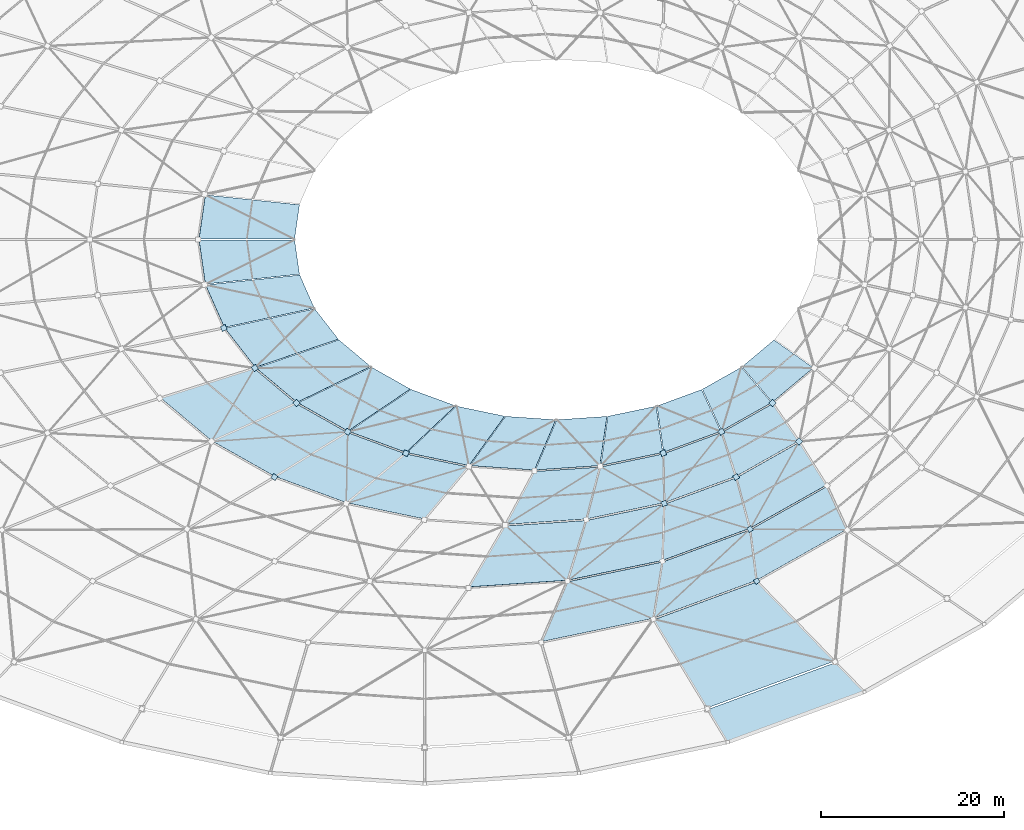
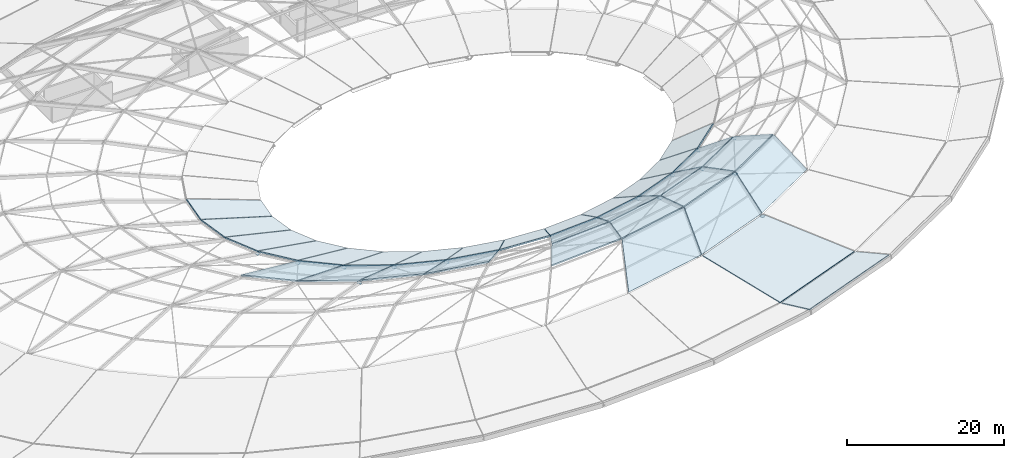
# One storey, part 13 of 30: 31 slabs, 14 plates.
"""IFC4 building model written with IfcOpenShell, lengths in metres."""

from ifc_helpers import new_model, si_unit, direction, frame, origin, origin_2d, place, context, subcontext, project, spatial, polyline, rectangle, outline, extrude, material, layer, layer_set, type_object, element, save


model = new_model("IFC4")

# Units and contexts
model_context = context("Model", 3, precision=1e-05, world=origin(), true_north=direction((0.0, 1.0)))
body_context = subcontext(model_context, "Body", "Model", "MODEL_VIEW")
ifc_project = project(units=[si_unit("LENGTHUNIT", "METRE"), si_unit("AREAUNIT", "SQUARE_METRE"), si_unit("VOLUMEUNIT", "CUBIC_METRE"), si_unit("PLANEANGLEUNIT", "RADIAN"), si_unit("MASSUNIT", "GRAM", prefix="KILO")], contexts=[model_context])

# Site, building, storey
site_placement = place(None, origin())
site = spatial("IfcSite", under=ifc_project, at=site_placement, CompositionType="ELEMENT")
building_placement = place(site_placement, origin())
building = spatial("IfcBuilding", under=site, at=building_placement, Name="Namkhue Oval Health Centre", CompositionType="ELEMENT")
storey_placement = place(building_placement, frame((0.0, 0.0, 26.39990234375)))
storey = spatial("IfcBuildingStorey", under=building, at=storey_placement, Name="RF", CompositionType="ELEMENT", Elevation=26.39990234375)

# Plates
ifc_material_1 = material(Name="Structural steel EN 10025-2 S355JR (TCVN 5575:2024)", Category="steel")
ifc_layer_1 = layer(ifc_material_1, 0.02197265625)
ifc_layer_set_1 = layer_set([ifc_layer_1], Name="Structural steel EN 10025-2 S355JR (TCVN 5575:2024)")
plate_type_1 = type_object("IfcPlateType", Name="GRIDSHELL GUSSET PLATE 520X520X22", PredefinedType="USERDEFINED", material=ifc_layer_set_1)
plate_1_placement = place(storey_placement, frame((122.640869140625, 22.111083984375, 3.80908203125), z_axis=(0.0, 0.0, 1.0), x_axis=(0.55557023302, -0.831469612303, 0.0)))
element("IfcPlate", 1, at=plate_1_placement, inside=storey, type_object=plate_type_1, Name="Gridshell Node Gusset Plate K2-28", ObjectType="GUSSET_PLATE", PredefinedType="USERDEFINED", context=body_context, shape_type="SweptSolid", body=[
    extrude(rectangle(XDim=0.52001953125, YDim=0.52001953125, at=origin_2d()), origin(), (0.0, 0.0, 1.0), 0.02197265625),
])
ifc_layer_2 = layer(ifc_material_1, 0.02197265625)
ifc_layer_set_2 = layer_set([ifc_layer_2], Name="Structural steel EN 10025-2 S355JR (TCVN 5575:2024)")
plate_type_2 = type_object("IfcPlateType", Name="GRIDSHELL GUSSET PLATE 540X540X22", PredefinedType="USERDEFINED", material=ifc_layer_set_2)
plate_2_placement = place(storey_placement, frame((121.9208984375, 27.790771484375, 7.209228515625), z_axis=(0.0, 0.0, 1.0), x_axis=(0.55557023302, -0.831469612303, 0.0)))
element("IfcPlate", 2, at=plate_2_placement, inside=storey, type_object=plate_type_2, Name="Gridshell Node Gusset Plate K3-28", ObjectType="GUSSET_PLATE", PredefinedType="USERDEFINED", context=body_context, shape_type="SweptSolid", body=[
    extrude(rectangle(XDim=0.5400390625, YDim=0.5400390625, at=origin_2d()), origin(), (0.0, 0.0, 1.0), 0.02197265625),
])
ifc_layer_3 = layer(ifc_material_1, 0.02392578125)
ifc_layer_set_3 = layer_set([ifc_layer_3], Name="Structural steel EN 10025-2 S355JR (TCVN 5575:2024)")
plate_type_3 = type_object("IfcPlateType", Name="GRIDSHELL GUSSET PLATE 560X560X24", PredefinedType="USERDEFINED", material=ifc_layer_set_3)
for number, where, z_axis, x_axis, name in (
    (3, (69.999267578125, 33.470703125, 5.008056640625), (0.0, 0.0, 1.0), (-0.55557023302, -0.831469612303, 0.0), "Gridshell Node Gusset Plate K4-22"),
    (4, (112.55859375, 30.5888671875, 5.008056640625), (0.0, 0.0, 1.0), (0.382683432365, -0.923879532511, 0.0), "Gridshell Node Gusset Plate K4-27"),
    (5, (120.400634765625, 33.470703125, 5.008056640625), (0.0, 0.0, 1.0), (0.55557023302, -0.831469612303, 0.0), "Gridshell Node Gusset Plate K4-28"),
    (6, (127.2744140625, 37.348876953125, 5.008056640625), (0.0, 0.0, 1.0), (0.707106781187, -0.707106781187, 0.0), "Gridshell Node Gusset Plate K4-29"),
):
    element("IfcPlate", number, at=place(storey_placement, frame(where, z_axis=z_axis, x_axis=x_axis)), inside=storey, type_object=plate_type_3, Name=name, ObjectType="GUSSET_PLATE", PredefinedType="USERDEFINED", context=body_context, shape_type="SweptSolid", body=[
        extrude(rectangle(XDim=0.56005859375, YDim=0.56005859375, at=origin_2d()), origin(), (0.0, 0.0, 1.0), 0.02392578125),
    ])
ifc_layer_4 = layer(ifc_material_1, 0.02392578125)
ifc_layer_set_4 = layer_set([ifc_layer_4], Name="Structural steel EN 10025-2 S355JR (TCVN 5575:2024)")
plate_type_4 = type_object("IfcPlateType", Name="GRIDSHELL GUSSET PLATE 580X580X24", PredefinedType="USERDEFINED", material=ifc_layer_set_4)
for number, where, z_axis, x_axis, name in (
    (7, (64.47509765625, 49.7392578125, 1.608154296875), (0.0, 0.0, 1.0), (-0.923879532511, -0.382683432365, 0.0), "Gridshell Node Gusset Plate K5-19"),
    (8, (67.868408203125, 45.37451171875, 1.608154296875), (0.0, 0.0, 1.0), (-0.831469612303, -0.55557023302, 0.0), "Gridshell Node Gusset Plate K5-20"),
    (9, (72.43505859375, 41.549072265625, 1.608154296875), (0.0, 0.0, 1.0), (-0.707106781187, -0.707106781187, 0.0), "Gridshell Node Gusset Plate K5-21"),
    (10, (77.99951171875, 38.40966796875, 1.608154296875), (0.0, 0.0, 1.0), (-0.55557023302, -0.831469612303, 0.0), "Gridshell Node Gusset Plate K5-22"),
    (11, (84.347900390625, 36.07666015625, 1.608154296875), (0.0, 0.0, 1.0), (-0.382683432365, -0.923879532511, 0.0), "Gridshell Node Gusset Plate K5-23"),
    (12, (112.4521484375, 36.07666015625, 1.608154296875), (0.0, 0.0, 1.0), (0.382683432365, -0.923879532511, 0.0), "Gridshell Node Gusset Plate K5-27"),
    (13, (118.800537109375, 38.40966796875, 1.608154296875), (0.0, 0.0, 1.0), (0.55557023302, -0.831469612303, 0.0), "Gridshell Node Gusset Plate K5-28"),
    (14, (124.364990234375, 41.549072265625, 1.608154296875), (0.0, 0.0, 1.0), (0.707106781187, -0.707106781187, 0.0), "Gridshell Node Gusset Plate K5-29"),
):
    element("IfcPlate", number, at=place(storey_placement, frame(where, z_axis=z_axis, x_axis=x_axis)), inside=storey, type_object=plate_type_4, Name=name, ObjectType="GUSSET_PLATE", PredefinedType="USERDEFINED", context=body_context, shape_type="SweptSolid", body=[
        extrude(rectangle(XDim=0.580078125, YDim=0.580078125, at=origin_2d()), origin(), (0.0, 0.0, 1.0), 0.02392578125),
    ])

# Slabs
ifc_material_2 = material(Name="Reinforced concrete C30/37 (TCVN B35)", Category="concrete")
ifc_layer_5 = layer(ifc_material_2, 0.159912109375)
ifc_layer_set_5 = layer_set([ifc_layer_5], Name="Reinforced concrete C30/37 (TCVN B35)")
slab_type_1 = type_object("IfcSlabType", Name="GRIDSHELL ROOF PANEL 160", PredefinedType="ROOF", material=ifc_layer_set_5)
slab_1_placement = place(storey_placement, frame((119.456787109375, 4.614501953125, 1.093505859375), z_axis=(-0.032737865834, 0.089089234545, 0.995485479768), x_axis=(0.938632395912, 0.344919157693, 2.38785e-07)))
element("IfcSlab", 15, at=slab_1_placement, inside=storey, type_object=slab_type_1, Name="Gridshell Planar Roof Panel K0-27", PredefinedType="ROOF", context=body_context, shape_type="SweptSolid", body=[
    extrude(outline(polyline([(0.0, 0.0), (15.802786855641859, 0.0), (14.014443752002366, 4.033293430768836), (-0.7724111872031211, 4.033216473355179), (0.0, 0.0)])), origin(), (0.0, 0.0, -1.0), 0.159912109375),
])
ifc_layer_6 = layer(ifc_material_2, 0.1650390625)
ifc_layer_set_6 = layer_set([ifc_layer_6], Name="Reinforced concrete C30/37 (TCVN B35)")
slab_type_2 = type_object("IfcSlabType", Name="GRIDSHELL ROOF PANEL 165", PredefinedType="ROOF", material=ifc_layer_set_6)
slab_2_placement = place(storey_placement, frame((117.254638671875, 8.269775390625, 0.73388671875), z_axis=(0.102714186374, -0.279510060392, 0.954632872919), x_axis=(0.938629998864, 0.344925680737, -4.38688e-07)))
element("IfcSlab", 16, at=slab_2_placement, inside=storey, type_object=slab_type_2, Name="Gridshell Planar Roof Panel K1-27", PredefinedType="ROOF", context=body_context, shape_type="SweptSolid", body=[
    extrude(outline(polyline([(0.0, 0.0), (14.742906242601615, 0.0), (9.822494706764079, 11.573081366463832), (-2.1258785047468853, 11.573042045665932), (0.0, 0.0)])), origin(), (0.0, 0.0, -1.0), 0.1650390625),
])
ifc_layer_7 = layer(ifc_material_2, 0.169921875)
ifc_layer_set_7 = layer_set([ifc_layer_7], Name="Reinforced concrete C30/37 (TCVN B35)")
slab_type_3 = type_object("IfcSlabType", Name="GRIDSHELL ROOF PANEL 170", PredefinedType="ROOF", material=ifc_layer_set_7)
slab_3_placement = place(storey_placement, frame((99.211669921875, 15.512451171875, 4.256591796875), z_axis=(0.100973028115, -0.484192998993, 0.869115405064), x_axis=(0.978939474351, 0.204150693244, 2.132447e-06)))
element("IfcSlab", 17, at=slab_3_placement, inside=storey, type_object=slab_type_3, Name="Gridshell Planar Roof Panel K2-26", PredefinedType="ROOF", context=body_context, shape_type="SweptSolid", body=[
    extrude(outline(polyline([(0.0, 0.0), (12.382114804668541, 0.0), (14.58775799063613, 6.694180011940769), (4.059904103209848, 6.694278785412251), (0.0, 0.0)])), origin(), (0.0, 0.0, -1.0), 0.169921875),
])
slab_4_placement = place(storey_placement, frame((111.420654296875, 18.06982421875, 4.259033203125), z_axis=(0.179474146698, -0.488412431489, 0.85395686509), x_axis=(0.938632130959, 0.344919878696, 3.461364e-06)))
element("IfcSlab", 18, at=slab_4_placement, inside=storey, type_object=slab_type_3, Name="Gridshell Planar Roof Panel K2-27", PredefinedType="ROOF", context=body_context, shape_type="SweptSolid", body=[
    extrude(outline(polyline([(0.0, 0.0), (11.900481886786183, -4.440892098500626e-16), (13.148326695853406, 6.353696956176924), (3.027530974824281, 6.353843443278537), (0.0, 0.0)])), origin(), (0.0, 0.0, -1.0), 0.169921875),
])
slab_5_placement = place(storey_placement, frame((122.66943359375, 22.214111328125, 4.2607421875), z_axis=(0.265310414489, -0.470222179844, 0.841725302903), x_axis=(0.870932391499, 0.491402858595, 1.294447e-06)))
element("IfcSlab", 19, at=slab_5_placement, inside=storey, type_object=slab_type_3, Name="Gridshell Planar Roof Panel K2-28", PredefinedType="ROOF", context=body_context, shape_type="SweptSolid", body=[
    extrude(outline(polyline([(0.0, 0.0), (11.238634156316959, -8.881784197001252e-16), (11.66131769916411, 6.117211394065263), (2.1018404488854636, 6.1172612584110615), (0.0, 0.0)])), origin(), (0.0, 0.0, -1.0), 0.169921875),
])
ifc_layer_8 = layer(ifc_material_2, 0.175048828125)
ifc_layer_set_8 = layer_set([ifc_layer_8], Name="Reinforced concrete C30/37 (TCVN B35)")
slab_type_4 = type_object("IfcSlabType", Name="GRIDSHELL ROOF PANEL 175", PredefinedType="ROOF", material=ifc_layer_set_8)
slab_6_placement = place(storey_placement, frame((91.302001953125, 21.476318359375, 7.58837890625), z_axis=(-0.021523960169, 0.317867471834, 0.947890810953), x_axis=(0.997715029817, 0.067562706255, -1.274478e-06)))
element("IfcSlab", 20, at=slab_6_placement, inside=storey, type_object=slab_type_4, Name="Gridshell Planar Roof Panel K3-25", PredefinedType="ROOF", context=body_context, shape_type="SweptSolid", body=[
    extrude(outline(polyline([(0.0, 0.0), (10.69240087662923, -2.220446049250313e-16), (13.136484870799743, 6.72502357829837), (4.336352837834855, 6.725101554353777), (0.0, 0.0)])), origin(), (0.0, 0.0, -1.0), 0.175048828125),
])
slab_7_placement = place(storey_placement, frame((102.0625, 22.216552734375, 7.586669921875), z_axis=(-0.068884426187, 0.330295197795, 0.941360726896), x_axis=(0.978935809283, 0.204168267118, -2.5141e-06)))
element("IfcSlab", 21, at=slab_7_placement, inside=storey, type_object=slab_type_4, Name="Gridshell Planar Roof Panel K3-26", PredefinedType="ROOF", context=body_context, shape_type="SweptSolid", body=[
    extrude(outline(polyline([(0.0, 0.0), (10.479783284883998, -2.220446049250313e-16), (11.92080332217334, 6.340008021388163), (3.2925522867716555, 6.340150402116963), (0.0, 0.0)])), origin(), (0.0, 0.0, -1.0), 0.175048828125),
])
slab_8_placement = place(storey_placement, frame((112.40576171875, 24.384033203125, 7.58544921875), z_axis=(-0.12131255381, 0.330129857962, 0.93610765469), x_axis=(0.938633589402, 0.344915909818, 1.065588e-06)))
element("IfcSlab", 22, at=slab_8_placement, inside=storey, type_object=slab_type_4, Name="Gridshell Planar Roof Panel K3-27", PredefinedType="ROOF", context=body_context, shape_type="SweptSolid", body=[
    extrude(outline(polyline([(0.0, 0.0), (10.071674396879002, 0.0), (10.588629558302385, 6.075198719519464), (2.2944712257604984, 6.075143076469438), (0.0, 0.0)])), origin(), (0.0, 0.0, -1.0), 0.175048828125),
])
slab_9_placement = place(storey_placement, frame((121.93603515625, 27.895751953125, 7.584716796875), z_axis=(-0.177113233837, 0.313914649333, 0.932785342581), x_axis=(0.870938055877, 0.491392819264, -8.02967e-07)))
element("IfcSlab", 23, at=slab_9_placement, inside=storey, type_object=slab_type_4, Name="Gridshell Planar Roof Panel K3-28", PredefinedType="ROOF", context=body_context, shape_type="SweptSolid", body=[
    extrude(outline(polyline([(0.0, 0.0), (9.510389835961131, -4.440892098500626e-16), (9.256505315005672, 5.924124907379335), (1.4238493206166827, 5.924163544010301), (0.0, 0.0)])), origin(), (0.0, 0.0, -1.0), 0.175048828125),
])
ifc_layer_9 = layer(ifc_material_2, 0.179931640625)
ifc_layer_set_9 = layer_set([ifc_layer_9], Name="Reinforced concrete C30/37 (TCVN B35)")
slab_type_5 = type_object("IfcSlabType", Name="GRIDSHELL ROOF PANEL 180", PredefinedType="ROOF", material=ifc_layer_set_9)
slab_10_placement = place(storey_placement, frame((57.617431640625, 42.073486328125, 5.390869140625), z_axis=(0.222659905613, 0.265783454975, 0.937966801915), x_axis=(0.766554448634, -0.642179318632, -3.2321e-07)))
element("IfcSlab", 24, at=slab_10_placement, inside=storey, type_object=slab_type_5, Name="Gridshell Planar Roof Panel K4-20", PredefinedType="ROOF", context=body_context, shape_type="SweptSolid", body=[
    extrude(outline(polyline([(0.0, 0.0), (7.251081854572319, 8.881784197001252e-16), (11.608449933762902, 9.6261936645253), (5.733237750145159, 9.626205900587905), (0.0, 0.0)])), origin(), (0.0, 0.0, -1.0), 0.179931640625),
])
slab_11_placement = place(storey_placement, frame((63.263916015625, 37.366455078125, 5.3876953125), z_axis=(0.187574327561, 0.33244805514, 0.924280348311), x_axis=(0.870930821092, -0.491405641873, 2.798726e-06)))
element("IfcSlab", 25, at=slab_11_placement, inside=storey, type_object=slab_type_5, Name="Gridshell Planar Roof Panel K4-21", PredefinedType="ROOF", context=body_context, shape_type="SweptSolid", body=[
    extrude(outline(polyline([(0.0, 0.0), (7.77920672767691, 0.0), (12.228129202436447, 8.727293418481999), (5.921795585640764, 8.72719014343853), (0.0, 0.0)])), origin(), (0.0, 0.0, -1.0), 0.179931640625),
])
slab_12_placement = place(storey_placement, frame((70.13623046875, 33.50732421875, 5.384521484375), z_axis=(0.144087221943, 0.392097694474, 0.908569353688), x_axis=(0.93863388894, -0.344915094634, -5.212682e-06)))
element("IfcSlab", 26, at=slab_12_placement, inside=storey, type_object=slab_type_5, Name="Gridshell Planar Roof Panel K4-22", PredefinedType="ROOF", context=body_context, shape_type="SweptSolid", body=[
    extrude(outline(polyline([(0.0, 0.0), (8.238465963068268, 0.0), (12.359386725307969, 7.959338754355082), (5.677294924696223, 7.959524940097923), (0.0, 0.0)])), origin(), (0.0, 0.0, -1.0), 0.179931640625),
])
slab_13_placement = place(storey_placement, frame((77.969482421875, 30.64404296875, 5.38134765625), z_axis=(0.092378734516, 0.44297555465, 0.8917616427), x_axis=(0.97894099406, -0.204143405818, -3.130631e-06)))
element("IfcSlab", 27, at=slab_13_placement, inside=storey, type_object=slab_type_5, Name="Gridshell Planar Roof Panel K4-23", PredefinedType="ROOF", context=body_context, shape_type="SweptSolid", body=[
    extrude(outline(polyline([(0.0, 0.0), (8.574862406855674, -2.220446049250313e-16), (12.08195104082585, 7.333758676149511), (5.123376310670158, 7.333866143287061), (0.0, 0.0)])), origin(), (0.0, 0.0, -1.0), 0.179931640625),
])
slab_14_placement = place(storey_placement, frame((95.291015625, 28.298583984375, 5.3759765625), z_axis=(-0.034565077777, 0.510415442522, 0.859232990192), x_axis=(0.99771480237, 0.067566064943, -7.83483e-07)))
element("IfcSlab", 28, at=slab_14_placement, inside=storey, type_object=slab_type_5, Name="Gridshell Planar Roof Panel K4-25", PredefinedType="ROOF", context=body_context, shape_type="SweptSolid", body=[
    extrude(outline(polyline([(0.0, 0.0), (8.755114865561646, 1.1102230246251565e-16), (10.608117985069399, 6.465898047216078), (3.496653726701598, 6.4659223466239775), (0.0, 0.0)])), origin(), (0.0, 0.0, -1.0), 0.179931640625),
])
slab_15_placement = place(storey_placement, frame((104.115234375, 28.90576171875, 5.3740234375), z_axis=(-0.108866426278, 0.522008068736, 0.845964347596), x_axis=(0.978936163597, 0.204166568238, -3.917779e-06)))
element("IfcSlab", 29, at=slab_15_placement, inside=storey, type_object=slab_type_5, Name="Gridshell Planar Roof Panel K4-26", PredefinedType="ROOF", context=body_context, shape_type="SweptSolid", body=[
    extrude(outline(polyline([(0.0, 0.0), (8.580897430314367, 0.0), (9.568586241866536, 6.195936034835912), (2.596557315510769, 6.196050304180177), (0.0, 0.0)])), origin(), (0.0, 0.0, -1.0), 0.179931640625),
])
slab_16_placement = place(storey_placement, frame((112.597900390625, 30.68359375, 5.372802734375), z_axis=(-0.189065933448, 0.514507881399, 0.836382515831), x_axis=(0.938631755363, 0.344920900821, -1.474134e-06)))
element("IfcSlab", 30, at=slab_16_placement, inside=storey, type_object=slab_type_5, Name="Gridshell Planar Roof Panel K4-27", PredefinedType="ROOF", context=body_context, shape_type="SweptSolid", body=[
    extrude(outline(polyline([(0.0, 0.0), (8.246037850297384, -4.440892098500626e-16), (8.442030850466255, 6.022584701418642), (1.7410210649503062, 6.0226248986423325), (0.0, 0.0)])), origin(), (0.0, 0.0, -1.0), 0.179931640625),
])
slab_17_placement = place(storey_placement, frame((120.414306640625, 33.564208984375, 5.3720703125), z_axis=(-0.273026287692, 0.483916817765, 0.831433196182), x_axis=(0.870937659102, 0.491393522471, -5.669474e-06)))
element("IfcSlab", 31, at=slab_17_placement, inside=storey, type_object=slab_type_5, Name="Gridshell Planar Roof Panel K4-28", PredefinedType="ROOF", context=body_context, shape_type="SweptSolid", body=[
    extrude(outline(polyline([(0.0, 0.0), (7.785324243981862, 0.0), (7.329294143230085, 5.939273575287015), (1.0028523097614372, 5.939417568678019), (0.0, 0.0)])), origin(), (0.0, 0.0, -1.0), 0.179931640625),
])
ifc_layer_10 = layer(ifc_material_2, 0.18505859375)
ifc_layer_set_10 = layer_set([ifc_layer_10], Name="Reinforced concrete C30/37 (TCVN B35)")
slab_type_6 = type_object("IfcSlabType", Name="GRIDSHELL ROOF PANEL 185", PredefinedType="ROOF", material=ifc_layer_set_10)
slab_18_placement = place(storey_placement, frame((62.46533203125, 64.2744140625, 2.0009765625), z_axis=(0.288574121273, -0.041340974447, 0.956564634703), x_axis=(-0.141826081309, -0.989891591358, 4.446959e-06)))
element("IfcSlab", 32, at=slab_18_placement, inside=storey, type_object=slab_type_6, Name="Gridshell Planar Roof Panel K5-16", PredefinedType="ROOF", context=body_context, shape_type="SweptSolid", body=[
    extrude(outline(polyline([(0.0, 0.0), (4.881868390118998, -1.1102230246251565e-16), (3.4020294258487196, 10.797601202721856), (-0.38599848688158334, 10.797468948903957), (0.0, 0.0)])), origin(), (0.0, 0.0, -1.0), 0.18505859375),
])
slab_19_placement = place(storey_placement, frame((61.77294921875, 59.358154296875, 2.0009765625), z_axis=(0.288574121273, 0.041340974447, 0.956564634703), x_axis=(0.141826081309, -0.989891591358, -4.446959e-06)))
element("IfcSlab", 33, at=slab_19_placement, inside=storey, type_object=slab_type_6, Name="Gridshell Planar Roof Panel K5-17", PredefinedType="ROOF", context=body_context, shape_type="SweptSolid", body=[
    extrude(outline(polyline([(0.0, 0.0), (4.881868390118998, 1.1102230246251565e-16), (5.267866877000582, 10.797468948903957), (1.4798389642702792, 10.797601202721857), (0.0, 0.0)])), origin(), (0.0, 0.0, -1.0), 0.18505859375),
])
slab_20_placement = place(storey_placement, frame((62.492919921875, 54.444091796875, 1.999755859375), z_axis=(0.278713974958, 0.122972473733, 0.952468524869), x_axis=(0.403686878557, -0.914897209549, -6.300986e-06)))
element("IfcSlab", 34, at=slab_20_placement, inside=storey, type_object=slab_type_6, Name="Gridshell Planar Roof Panel K5-18", PredefinedType="ROOF", context=body_context, shape_type="SweptSolid", body=[
    extrude(outline(polyline([(0.0, 0.0), (5.079500604680735, 4.440892098500626e-16), (7.098801235097734, 10.324480671458279), (3.156437356114151, 10.324667275977221), (0.0, 0.0)])), origin(), (0.0, 0.0, -1.0), 0.18505859375),
])
slab_21_placement = place(storey_placement, frame((64.595703125, 49.72265625, 1.99755859375), z_axis=(0.259179915108, 0.201505857524, 0.944574592601), x_axis=(0.613788371942, -0.789470603929, 1.411112e-06)))
element("IfcSlab", 35, at=slab_21_placement, inside=storey, type_object=slab_type_6, Name="Gridshell Planar Roof Panel K5-19", PredefinedType="ROOF", context=body_context, shape_type="SweptSolid", body=[
    extrude(outline(polyline([(0.0, 0.0), (5.4266467080413126, 0.0), (8.554836088978838, 9.567197981122431), (4.341017616937931, 9.567156543686364), (0.0, 0.0)])), origin(), (0.0, 0.0, -1.0), 0.18505859375),
])
slab_22_placement = place(storey_placement, frame((67.99853515625, 45.375244140625, 1.994873046875), z_axis=(0.230358929136, 0.274986653795, 0.933443680145), x_axis=(0.76656977037, -0.642161028991, -5.12993e-07)))
element("IfcSlab", 36, at=slab_22_placement, inside=storey, type_object=slab_type_6, Name="Gridshell Planar Roof Panel K5-20", PredefinedType="ROOF", context=body_context, shape_type="SweptSolid", body=[
    extrude(outline(polyline([(0.0, 0.0), (5.849923167782908, 0.0), (9.501229212591392, 8.740684540689616), (4.95612367193314, 8.740699406104671), (0.0, 0.0)])), origin(), (0.0, 0.0, -1.0), 0.18505859375),
])
slab_23_placement = place(storey_placement, frame((72.56884765625, 41.568603515625, 1.99169921875), z_axis=(0.19269763234, 0.341532485424, 0.919903899269), x_axis=(0.870943150522, -0.491383789443, -5.605045e-06)))
element("IfcSlab", 37, at=slab_23_placement, inside=storey, type_object=slab_type_6, Name="Gridshell Planar Roof Panel K5-21", PredefinedType="ROOF", context=body_context, shape_type="SweptSolid", body=[
    extrude(outline(polyline([(0.0, 0.0), (6.2771417884429805, 4.440892098500626e-16), (9.950701344891142, 7.9800781889154), (5.070001749865041, 7.980237671706608), (0.0, 0.0)])), origin(), (0.0, 0.0, -1.0), 0.18505859375),
])
slab_24_placement = place(storey_placement, frame((78.1298828125, 38.448486328125, 1.98876953125), z_axis=(0.146781275644, 0.399428205821, 0.904937768863), x_axis=(0.938628352346, -0.34493016129, 1.954328e-06)))
element("IfcSlab", 38, at=slab_24_placement, inside=storey, type_object=slab_type_6, Name="Gridshell Planar Roof Panel K5-22", PredefinedType="ROOF", context=body_context, shape_type="SweptSolid", body=[
    extrude(outline(polyline([(0.0, 0.0), (6.649030885300509, 2.220446049250313e-16), (9.97032715874786, 7.339572478714025), (4.7968866125955785, 7.339518183532022), (0.0, 0.0)])), origin(), (0.0, 0.0, -1.0), 0.18505859375),
])
slab_25_placement = place(storey_placement, frame((84.467529296875, 36.133544921875, 1.986083984375), z_axis=(0.093226604943, 0.447007761028, 0.889658845689), x_axis=(0.978938301872, -0.204156315383, -4.087963e-06)))
element("IfcSlab", 39, at=slab_25_placement, inside=storey, type_object=slab_type_6, Name="Gridshell Planar Roof Panel K5-23", PredefinedType="ROOF", context=body_context, shape_type="SweptSolid", body=[
    extrude(outline(polyline([(0.0, 0.0), (6.92165780849591, 0.0), (9.637121303079757, 6.828086363561005), (4.2479586374087015, 6.828196576741758), (0.0, 0.0)])), origin(), (0.0, 0.0, -1.0), 0.18505859375),
])
slab_26_placement = place(storey_placement, frame((91.33837890625, 34.712158203125, 1.983642578125), z_axis=(0.032680078778, 0.482472530859, 0.875301244954), x_axis=(0.997714067533, -0.067576915025, -1.564153e-06)))
element("IfcSlab", 40, at=slab_26_placement, inside=storey, type_object=slab_type_6, Name="Gridshell Planar Roof Panel K5-24", PredefinedType="ROOF", context=body_context, shape_type="SweptSolid", body=[
    extrude(outline(polyline([(0.0, 0.0), (7.06669067433462, -1.6653345369377348e-16), (9.025111728532476, 6.437477862768492), (3.519848469290364, 6.437518527274436), (0.0, 0.0)])), origin(), (0.0, 0.0, -1.0), 0.18505859375),
])
slab_27_placement = place(storey_placement, frame((98.479736328125, 34.23828125, 1.981689453125), z_axis=(-0.034127282702, 0.503938691591, 0.863064959139), x_axis=(0.99771535085, 0.067557965136, 4.914203e-06)))
element("IfcSlab", 41, at=slab_27_placement, inside=storey, type_object=slab_type_6, Name="Gridshell Planar Roof Panel K5-25", PredefinedType="ROOF", context=body_context, shape_type="SweptSolid", body=[
    extrude(outline(polyline([(0.0, 0.0), (7.068882918743244, -5.551115123125783e-17), (8.206262934054845, 6.155641766272901), (2.697085857424408, 6.155519390485666), (0.0, 0.0)])), origin(), (0.0, 0.0, -1.0), 0.18505859375),
])
slab_28_placement = place(storey_placement, frame((105.618408203125, 34.72998046875, 1.980224609375), z_axis=(-0.106174494893, 0.509120555444, 0.85412132432), x_axis=(0.978938842074, 0.204153725114, -6.09793e-07)))
element("IfcSlab", 42, at=slab_28_placement, inside=storey, type_object=slab_type_6, Name="Gridshell Planar Roof Panel K5-26", PredefinedType="ROOF", context=body_context, shape_type="SweptSolid", body=[
    extrude(outline(polyline([(0.0, 0.0), (6.927642989434663, 0.0), (7.25654477468893, 5.97260756654707), (1.8559395872540996, 5.972622021561521), (0.0, 0.0)])), origin(), (0.0, 0.0, -1.0), 0.18505859375),
])
slab_29_placement = place(storey_placement, frame((112.481201171875, 36.168701171875, 1.9794921875), z_axis=(-0.182055727947, 0.495439615308, 0.849349927595), x_axis=(0.938632315248, 0.344919377184, -3.925493e-06)))
element("IfcSlab", 43, at=slab_29_placement, inside=storey, type_object=slab_type_6, Name="Gridshell Planar Roof Panel K5-27", PredefinedType="ROOF", context=body_context, shape_type="SweptSolid", body=[
    extrude(outline(polyline([(0.0, 0.0), (6.656289404918649, 0.0), (6.259304064037346, 5.882490253207861), (1.0700322682252563, 5.8825783490919665), (0.0, 0.0)])), origin(), (0.0, 0.0, -1.0), 0.18505859375),
])
slab_30_placement = place(storey_placement, frame((118.80517578125, 38.5, 1.9794921875), z_axis=(-0.259426949455, 0.459795764264, 0.849285295447), x_axis=(0.870939596554, 0.491390088526, 7.207693e-06)))
element("IfcSlab", 44, at=slab_30_placement, inside=storey, type_object=slab_type_6, Name="Gridshell Planar Roof Panel K5-28", PredefinedType="ROOF", context=body_context, shape_type="SweptSolid", body=[
    extrude(outline(polyline([(0.0, 0.0), (6.283046673992098, 0.0), (5.309119155514227, 5.881450599490743), (0.4115827336166656, 5.88129795506272), (0.0, 0.0)])), origin(), (0.0, 0.0, -1.0), 0.18505859375),
])
slab_31_placement = place(storey_placement, frame((124.34716796875, 41.634521484375, 1.980224609375), z_axis=(-0.334460016336, 0.399268666354, 0.853651585566), x_axis=(0.766580555509, 0.642148154178, 1.063664e-06)))
element("IfcSlab", 45, at=slab_31_placement, inside=storey, type_object=slab_type_6, Name="Gridshell Planar Roof Panel K5-29", PredefinedType="ROOF", context=body_context, shape_type="SweptSolid", body=[
    extrude(outline(polyline([(0.0, 0.0), (5.852704969240003, 0.0), (4.514304455506923, 5.963787855414507), (-0.04571150030127316, 5.963766590650081), (0.0, 0.0)])), origin(), (0.0, 0.0, -1.0), 0.18505859375),
])

save(model, "model.ifc")
